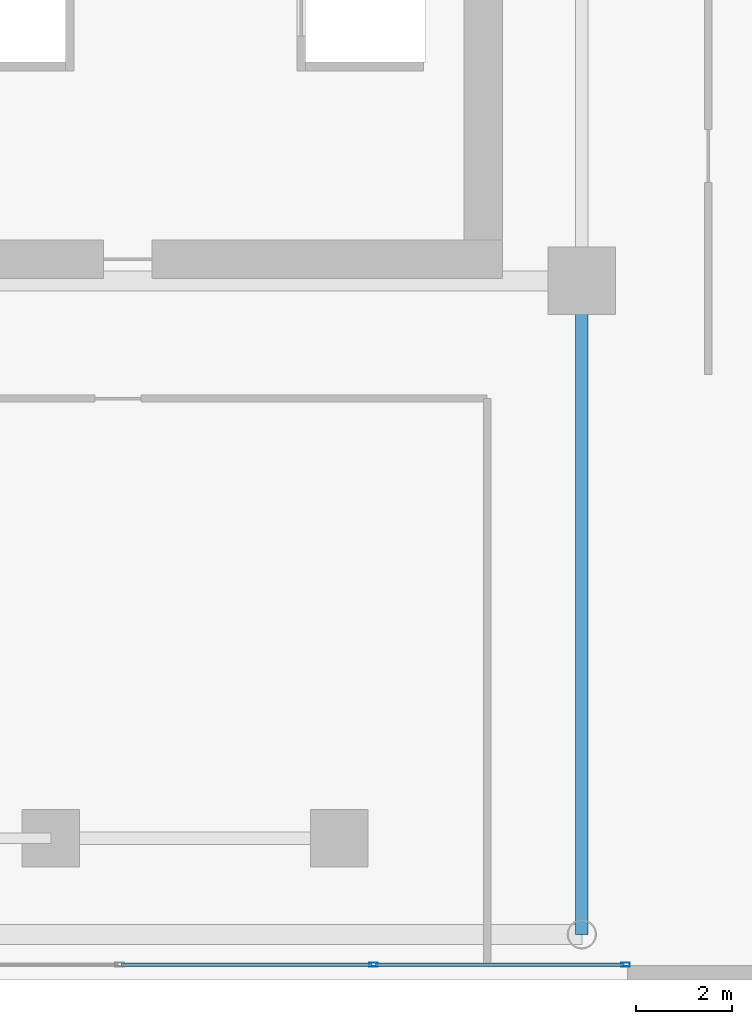
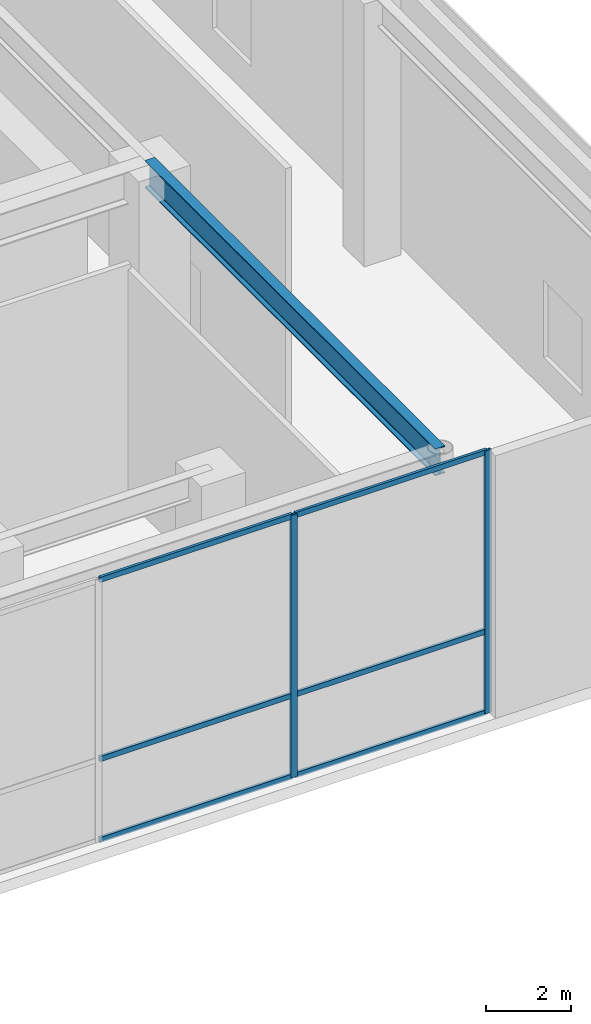
# One storey, part 10 of 29: 8 members, 1 beam, 1 element without a shape of its own.
"""IFC4 building model written with IfcOpenShell, lengths in metres."""

from ifc_helpers import new_model, si_unit, direction, frame, origin, origin_2d, place, context, subcontext, project, spatial, hollow_rectangle, i_section, extrude, source, transform, mapped, material, layer, layer_set, material_profile, profile_set, type_object, element, aggregate, save


model = new_model("IFC4")

# Units and contexts
model_context = context("Model", 3, precision=1e-05, world=origin(), true_north=direction((0.0, 1.0)))
body_context = subcontext(model_context, "Body", "Model", "MODEL_VIEW")
ifc_project = project(units=[si_unit("LENGTHUNIT", "METRE"), si_unit("AREAUNIT", "SQUARE_METRE"), si_unit("VOLUMEUNIT", "CUBIC_METRE"), si_unit("PLANEANGLEUNIT", "RADIAN"), si_unit("MASSUNIT", "GRAM", prefix="KILO")], contexts=[model_context])

# Site, building, storey
site_placement = place(None, origin())
site = spatial("IfcSite", under=ifc_project, at=site_placement, CompositionType="ELEMENT")
building_placement = place(site_placement, origin())
building = spatial("IfcBuilding", under=site, at=building_placement, Name="Ocotamira Hotel", CompositionType="ELEMENT")
storey_placement = place(building_placement, frame((0.0, 0.0, 11.39990234375)))
storey = spatial("IfcBuildingStorey", under=building, at=storey_placement, Name="L03", CompositionType="ELEMENT", Elevation=11.39990234375)

# Beam
ifc_material_1 = material(Name="Steel ASTM A992 Grade 50", Category="steel")
ifc_material_profile_1 = material_profile(ifc_material_1, i_section(OverallWidth=0.26611328125, OverallDepth=0.779052734375, WebThickness=0.0166015625, FlangeThickness=0.030029296875, FilletRadius=0.01806640625, at=origin_2d()), Name="W30X148")
ifc_profile_set_1 = profile_set([ifc_material_profile_1], Name="Steel ASTM A992 Grade 50")
beam_type = type_object("IfcBeamType", Name="BM-GIRD-W30X148", PredefinedType="BEAM", material=ifc_profile_set_1)
shared_shape_1 = source(origin(), body_context, "Body", "SweptSolid", [
    extrude(i_section(OverallWidth=0.26611328125, OverallDepth=0.779052734375, WebThickness=0.0166015625, FlangeThickness=0.030029296875, FilletRadius=0.01806640625, at=origin_2d()), origin(), (0.0, 0.0, 1.0), 13.60009765625),
])
beam_placement = place(storey_placement, frame((55.050048828125, 0.949951171875, 7.12060546875), z_axis=(0.0, 1.0, 0.0), x_axis=(-1.0, 0.0, 0.0)))
element("IfcBeam", 1, at=beam_placement, inside=storey, type_object=beam_type, Name="L03 Beam X55.05 Y0.95-14.55", PredefinedType="BEAM", context=body_context, shape_type="MappedRepresentation", body=[
    mapped(shared_shape_1, transform((0.0, 0.0, 0.0), scale=1.0)),
])

# Curtain wall, members
ifc_material_2 = material(Name="Anodised pale-metal aluminium and solar glass", Category="aluminium")
ifc_layer = layer(ifc_material_2, 0.219970703125)
ifc_layer_set = layer_set([ifc_layer], Name="Anodised pale-metal aluminium and solar glass")
curtain_wall_type = type_object("IfcCurtainWallType", Name="CW-SYS1-POD", PredefinedType="NOTDEFINED", material=ifc_layer_set)
curtain_wall_placement = place(storey_placement, origin())
curtain_wall = element("IfcCurtainWall", 2, at=curtain_wall_placement, inside=storey, type_object=curtain_wall_type, Name="L03 Curtain Wall CW-1 CW-L03-SE", PredefinedType="NOTDEFINED")
ifc_material_3 = material(Name="Anodised pale-metal aluminium 6063-T6", Category="aluminium")
ifc_material_profile_2 = material_profile(ifc_material_3, hollow_rectangle(XDim=0.074951171875, YDim=0.14990234375, WallThickness=0.006103515625, at=origin_2d()), Name="HSS150X75X6")
ifc_profile_set_2 = profile_set([ifc_material_profile_2], Name="Anodised pale-metal aluminium 6063-T6")
member_type_1 = type_object("IfcMemberType", Name="CWT-150X75", PredefinedType="USERDEFINED", material=ifc_profile_set_2)
shared_shape_2 = source(origin(), body_context, "Body", "SweptSolid", [
    extrude(hollow_rectangle(XDim=0.074951171875, YDim=0.14990234375, WallThickness=0.006103515625, at=origin_2d()), origin(), (0.0, 0.0, 1.0), 5.163330078125),
])
member_1_placement = place(storey_placement, frame((50.756591796875, 0.320068359375, 0.03759765625), z_axis=(1.0, 0.0, 0.0), x_axis=(0.0, 1.0, 0.0)))
member_1 = element("IfcMember", 3, at=member_1_placement, type_object=member_type_1, Name="CW-1 transom 3.1", ObjectType="TRANSOM", PredefinedType="USERDEFINED", context=body_context, shape_type="MappedRepresentation", body=[
    mapped(shared_shape_2, transform((0.0, 0.0, 0.0), scale=1.0)),
])
member_2_placement = place(storey_placement, frame((50.756591796875, 0.320068359375, 2.35009765625), z_axis=(1.0, 0.0, 0.0), x_axis=(0.0, 1.0, 0.0)))
member_2 = element("IfcMember", 4, at=member_2_placement, type_object=member_type_1, Name="CW-1 transom 3.2", ObjectType="TRANSOM", PredefinedType="USERDEFINED", context=body_context, shape_type="MappedRepresentation", body=[
    mapped(shared_shape_2, transform((0.0, 0.0, 0.0), scale=1.0)),
])
member_3_placement = place(storey_placement, frame((50.756591796875, 0.320068359375, 7.47265625), z_axis=(1.0, 0.0, 0.0), x_axis=(0.0, 1.0, 0.0)))
member_3 = element("IfcMember", 5, at=member_3_placement, type_object=member_type_1, Name="CW-1 transom 3.3", ObjectType="TRANSOM", PredefinedType="USERDEFINED", context=body_context, shape_type="MappedRepresentation", body=[
    mapped(shared_shape_2, transform((0.0, 0.0, 0.0), scale=1.0)),
])
shared_shape_3 = source(origin(), body_context, "Body", "SweptSolid", [
    extrude(hollow_rectangle(XDim=0.074951171875, YDim=0.14990234375, WallThickness=0.006103515625, at=origin_2d()), origin(), (0.0, 0.0, 1.0), 5.203369140625),
])
member_4_placement = place(storey_placement, frame((45.473388671875, 0.320068359375, 0.03759765625), z_axis=(1.0, 0.0, 0.0), x_axis=(0.0, 1.0, 0.0)))
member_4 = element("IfcMember", 6, at=member_4_placement, type_object=member_type_1, Name="CW-1 transom 2.1", ObjectType="TRANSOM", PredefinedType="USERDEFINED", context=body_context, shape_type="MappedRepresentation", body=[
    mapped(shared_shape_3, transform((0.0, 0.0, 0.0), scale=1.0)),
])
member_5_placement = place(storey_placement, frame((45.473388671875, 0.320068359375, 2.35009765625), z_axis=(1.0, 0.0, 0.0), x_axis=(0.0, 1.0, 0.0)))
member_5 = element("IfcMember", 7, at=member_5_placement, type_object=member_type_1, Name="CW-1 transom 2.2", ObjectType="TRANSOM", PredefinedType="USERDEFINED", context=body_context, shape_type="MappedRepresentation", body=[
    mapped(shared_shape_3, transform((0.0, 0.0, 0.0), scale=1.0)),
])
member_6_placement = place(storey_placement, frame((45.473388671875, 0.320068359375, 7.47265625), z_axis=(1.0, 0.0, 0.0), x_axis=(0.0, 1.0, 0.0)))
member_6 = element("IfcMember", 8, at=member_6_placement, type_object=member_type_1, Name="CW-1 transom 2.3", ObjectType="TRANSOM", PredefinedType="USERDEFINED", context=body_context, shape_type="MappedRepresentation", body=[
    mapped(shared_shape_3, transform((0.0, 0.0, 0.0), scale=1.0)),
])
ifc_material_profile_3 = material_profile(ifc_material_3, hollow_rectangle(XDim=0.080078125, YDim=0.179931640625, WallThickness=0.006103515625, at=origin_2d()), Name="HSS180X80X6")
ifc_profile_set_3 = profile_set([ifc_material_profile_3], Name="Anodised pale-metal aluminium 6063-T6")
member_type_2 = type_object("IfcMemberType", Name="CWM-180X75", PredefinedType="MULLION", material=ifc_profile_set_3)
shared_shape_4 = source(origin(), body_context, "Body", "SweptSolid", [
    extrude(hollow_rectangle(XDim=0.080078125, YDim=0.179931640625, WallThickness=0.006103515625, at=origin_2d()), origin(), (0.0, 0.0, 1.0), 7.510009765625),
])
member_7_placement = place(storey_placement, frame((50.716552734375, 0.320068359375, 0.0), z_axis=(0.0, 0.0, 1.0), x_axis=(0.0, 1.0, 0.0)))
member_7 = element("IfcMember", 9, at=member_7_placement, type_object=member_type_2, Name="CW-1 mullion 3", PredefinedType="MULLION", context=body_context, shape_type="MappedRepresentation", body=[
    mapped(shared_shape_4, transform((0.0, 0.0, 0.0), scale=1.0)),
])
member_8_placement = place(storey_placement, frame((55.9599609375, 0.320068359375, 0.0), z_axis=(0.0, 0.0, 1.0), x_axis=(0.0, 1.0, 0.0)))
member_8 = element("IfcMember", 10, at=member_8_placement, type_object=member_type_2, Name="CW-1 mullion 4", PredefinedType="MULLION", context=body_context, shape_type="MappedRepresentation", body=[
    mapped(shared_shape_4, transform((0.0, 0.0, 0.0), scale=1.0)),
])
aggregate(curtain_wall, [member_7, member_8, member_4, member_5, member_6, member_1, member_2, member_3])

save(model, "model.ifc")
